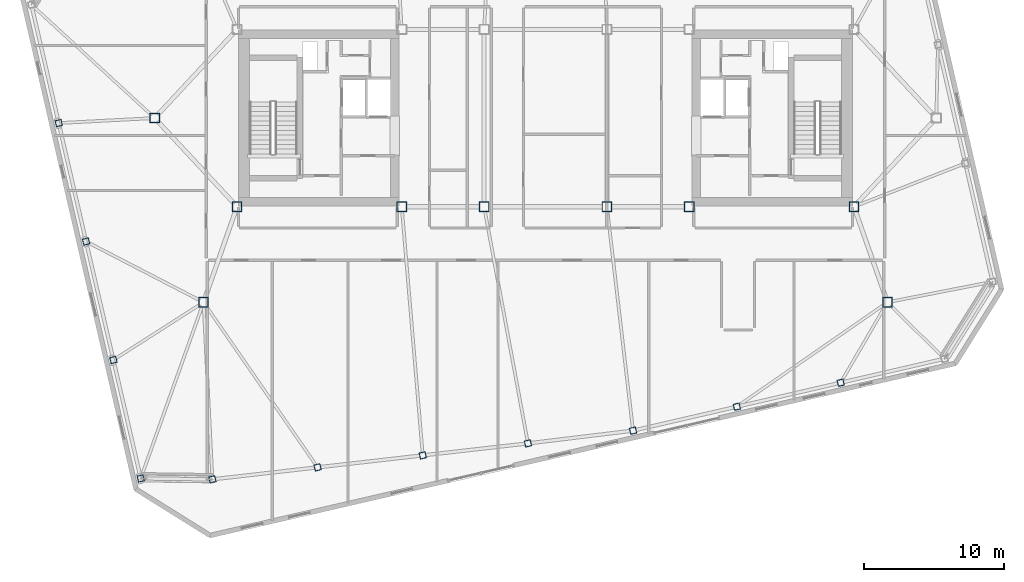
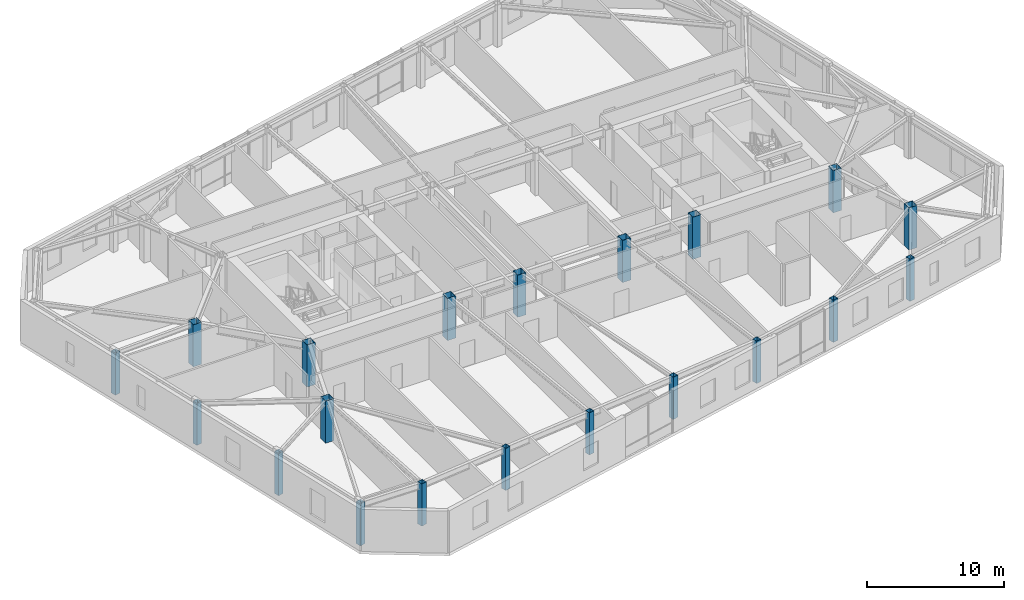
# One storey, part 1 of 23: 20 columns.
"""IFC4 building model written with IfcOpenShell, lengths in metres."""

from ifc_helpers import new_model, si_unit, direction, frame, origin, origin_2d, place, context, subcontext, project, spatial, hollow_rectangle, extrude, material, material_profile, profile_set, type_object, element, save


model = new_model("IFC4")

# Units and contexts
model_context = context("Model", 3, precision=1e-05, world=origin(), true_north=direction((0.0, 1.0)))
body_context = subcontext(model_context, "Body", "Model", "MODEL_VIEW")
ifc_project = project(units=[si_unit("LENGTHUNIT", "METRE"), si_unit("AREAUNIT", "SQUARE_METRE"), si_unit("VOLUMEUNIT", "CUBIC_METRE"), si_unit("PLANEANGLEUNIT", "RADIAN"), si_unit("MASSUNIT", "GRAM", prefix="KILO")], contexts=[model_context])

# Site, building, storey
site_placement = place(None, origin())
site = spatial("IfcSite", under=ifc_project, at=site_placement, CompositionType="ELEMENT")
building_placement = place(site_placement, origin())
building = spatial("IfcBuilding", under=site, at=building_placement, Name="Tavrogorsk Clinical Tower", CompositionType="ELEMENT")
storey_placement = place(building_placement, frame((0.0, 0.0, 293.0)))
storey = spatial("IfcBuildingStorey", under=building, at=storey_placement, Name="L68", CompositionType="ELEMENT", Elevation=293.0)

# Columns
ifc_material_1 = material(Name="Structural steel S440", Category="steel")
ifc_material_profile_1 = material_profile(ifc_material_1, hollow_rectangle(XDim=0.699951171875, YDim=0.699951171875, WallThickness=0.031982421875, at=origin_2d()), Name="BOX-700x700x32")
ifc_profile_set_1 = profile_set([ifc_material_profile_1], Name="Structural steel S440")
column_type_1 = type_object("IfcColumnType", Name="MegaCol_BOX700", PredefinedType="COLUMN", material=ifc_profile_set_1)
for number, where, z_axis, x_axis, name in (
    (1, (-22.10009765625, -6.35009765625, 0.0), (0.0, 0.0, 1.0), (1.0, 0.0, 0.0), "L68 Mega Column MC-W1"),
    (2, (-10.300048828125, -6.35009765625, 0.0), (0.0, 0.0, 1.0), (1.0, 0.0, 0.0), "L68 Mega Column MC-W3"),
    (3, (10.300048828125, -6.35009765625, 0.0), (0.0, 0.0, 1.0), (1.0, 0.0, 0.0), "L68 Mega Column MC-E1"),
    (4, (22.10009765625, -6.35009765625, 0.0), (0.0, 0.0, 1.0), (1.0, 0.0, 0.0), "L68 Mega Column MC-E3"),
    (5, (-4.39990234375, -6.35009765625, 0.0), (0.0, 0.0, 1.0), (1.0, 0.0, 0.0), "L68 Mega Column MC-C1"),
    (6, (4.39990234375, -6.35009765625, 0.0), (0.0, 0.0, 1.0), (1.0, 0.0, 0.0), "L68 Mega Column MC-C2"),
    (7, (-24.5, -13.199951171875, 0.0), (0.0, 0.0, 1.0), (1.0, 0.0, 0.0), "L68 Spine Pilotis Column MC-P1"),
    (8, (24.5, -13.199951171875, 0.0), (0.0, 0.0, 1.0), (1.0, 0.0, 0.0), "L68 Spine Pilotis Column MC-P2"),
    (9, (-28.0, 0.0, 0.0), (0.0, 0.0, 1.0), (1.0, 0.0, 0.0), "L68 Spine Pilotis Column MC-P5"),
):
    element("IfcColumn", number, at=place(storey_placement, frame(where, z_axis=z_axis, x_axis=x_axis)), inside=storey, type_object=column_type_1, Name=name, PredefinedType="COLUMN", context=body_context, shape_type="SweptSolid", body=[
        extrude(hollow_rectangle(XDim=0.699951171875, YDim=0.699951171875, WallThickness=0.031982421875, at=origin_2d()), origin(), (0.0, 0.0, 1.0), 3.739990234375),
    ])
ifc_material_2 = material(Name="Structural steel S440", Category="steel")
ifc_material_profile_2 = material_profile(ifc_material_2, hollow_rectangle(XDim=0.449951171875, YDim=0.449951171875, WallThickness=0.02197265625, at=origin_2d()), Name="BOX-450x450x22")
ifc_profile_set_2 = profile_set([ifc_material_profile_2], Name="Structural steel S440")
column_type_2 = type_object("IfcColumnType", Name="PerimCol_B5_BOX450", PredefinedType="COLUMN", material=ifc_profile_set_2)
for number, where, z_axis, x_axis, name in (
    (10, (-23.866943359375, -25.8857421875, 0.0), (0.0, 0.0, 1.0), (0.974370064785, 0.224951054344, 0.0), "L68 Perimeter Column S1"),
    (11, (-16.330322265625, -25.027099609375, 0.0), (0.0, 0.0, 1.0), (0.974370064785, 0.224951054344, 0.0), "L68 Perimeter Column S2"),
    (12, (-8.7939453125, -24.16845703125, 0.0), (0.0, 0.0, 1.0), (0.974370064785, 0.224951054344, 0.0), "L68 Perimeter Column S3"),
    (13, (-1.257568359375, -23.309814453125, 0.0), (0.0, 0.0, 1.0), (0.974370064785, 0.224951054344, 0.0), "L68 Perimeter Column S4"),
    (14, (6.272705078125, -22.39697265625, 0.0), (0.0, 0.0, 1.0), (0.974370064785, 0.224951054344, 0.0), "L68 Perimeter Column S5"),
    (15, (13.711181640625, -20.6796875, 0.0), (0.0, 0.0, 1.0), (0.974370064785, 0.224951054344, 0.0), "L68 Perimeter Column S6"),
    (16, (21.14990234375, -18.96240234375, 0.0), (0.0, 0.0, 1.0), (0.974370064785, 0.224951054344, 0.0), "L68 Perimeter Column S7"),
    (17, (-34.876708984375, -0.358642578125, 0.0), (0.0, 0.0, 1.0), (0.974370064785, 0.224951054344, 0.0), "L68 Perimeter Column W2"),
    (18, (-32.917236328125, -8.845458984375, 0.0), (0.0, 0.0, 1.0), (0.974370064785, 0.224951054344, 0.0), "L68 Perimeter Column W3"),
    (19, (-30.9580078125, -17.332275390625, 0.0), (0.0, 0.0, 1.0), (0.974370064785, 0.224951054344, 0.0), "L68 Perimeter Column W4"),
    (20, (-28.99853515625, -25.819091796875, 0.0), (0.0, 0.0, 1.0), (0.974370064785, 0.224951054344, 0.0), "L68 Perimeter Column W5"),
):
    element("IfcColumn", number, at=place(storey_placement, frame(where, z_axis=z_axis, x_axis=x_axis)), inside=storey, type_object=column_type_2, Name=name, PredefinedType="COLUMN", context=body_context, shape_type="SweptSolid", body=[
        extrude(hollow_rectangle(XDim=0.449951171875, YDim=0.449951171875, WallThickness=0.02197265625, at=origin_2d()), origin(), (0.0, 0.0, 1.0), 3.739990234375),
    ])

save(model, "model.ifc")
